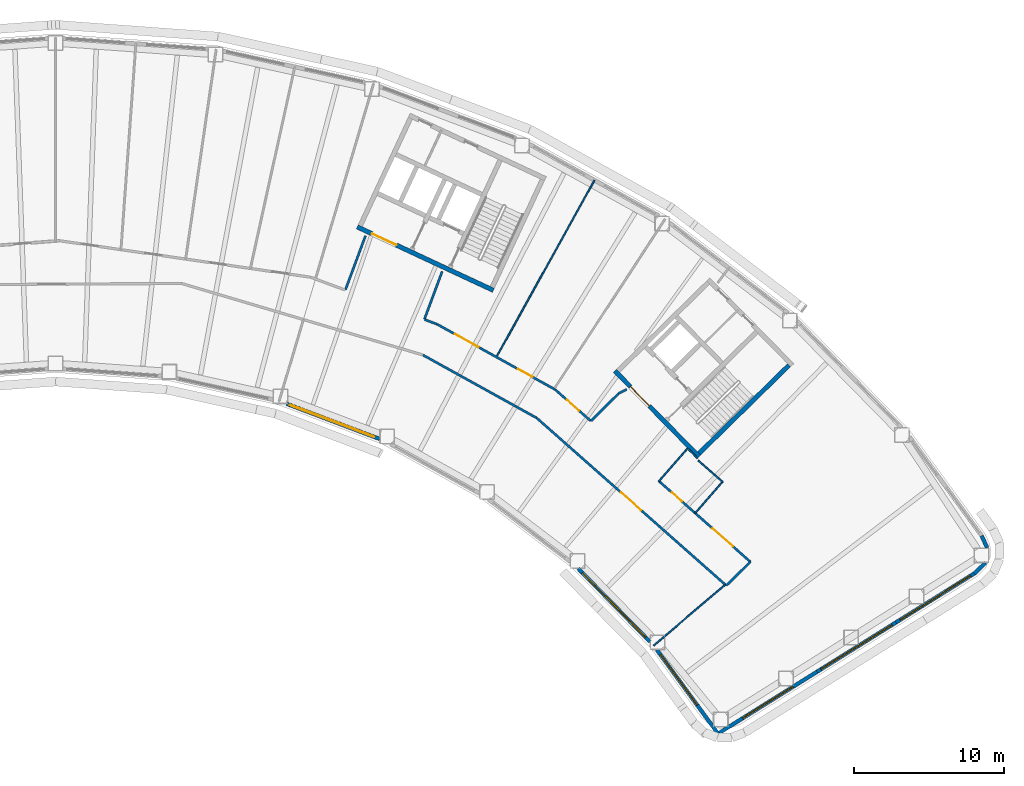
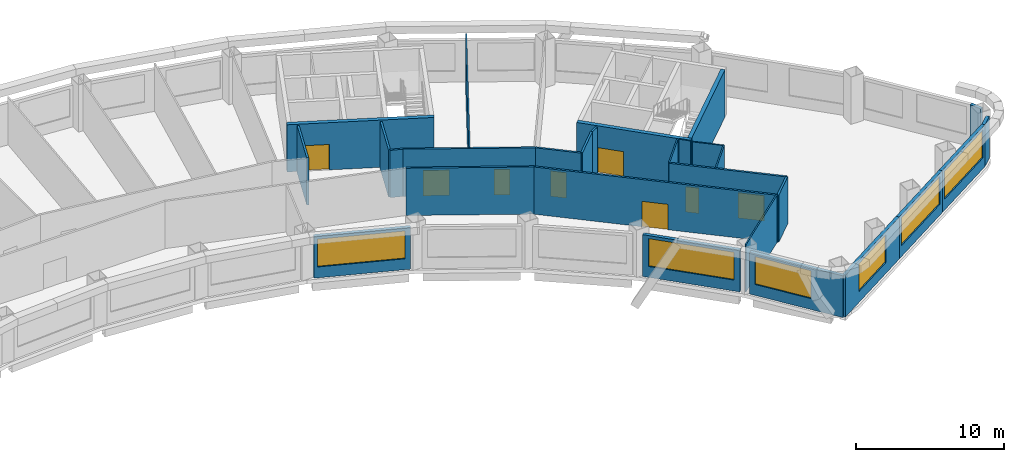
# One storey, part 6 of 11: 28 walls, 8 doors, 6 windows, 14 openings.
"""IFC4 building model written with IfcOpenShell, lengths in metres."""

import ifcopenshell
import ifcopenshell.guid

model = None  # the IFC model being written
_history = None  # IfcOwnerHistory: only IFC2X3 demands one
_inside = {}  # id of a spatial element -> (the spatial element, [elements in it])
_under = {}  # id of a project, library or spatial element -> (it, [spatial elements below it])
_declared = {}  # id of a project -> (the project, [libraries it declares])
_typed = {}  # id of a type object -> (the type object, [elements of that type])
_made_of = {}  # id of a material, layer set ... -> (it, [elements and type objects made of it])


def new_model(schema):
    """Start an empty IFC model of exactly this schema.

    Asked for "IFC4X3", IfcOpenShell would pick the latest addendum, in which some entities
    have other attributes; the version numbers below select the first issue.
    IFC2X3 requires an IfcOwnerHistory on every rooted entity: one is made here for all.
    """
    global model, _history
    if schema == "IFC4X3":
        model = ifcopenshell.file(schema_version=(4, 3, 0, 0))
    else:
        model = ifcopenshell.file(schema=schema)
    _inside.clear()
    _under.clear()
    _declared.clear()
    _typed.clear()
    _made_of.clear()
    _history = None
    if model.schema == "IFC2X3":
        org = make("IfcOrganization", Name="unknown")
        user = make(
            "IfcPersonAndOrganization",
            ThePerson=make("IfcPerson", FamilyName="unknown"),
            TheOrganization=org,
        )
        app = make(
            "IfcApplication",
            ApplicationDeveloper=org,
            Version="unknown",
            ApplicationFullName="unknown",
            ApplicationIdentifier="unknown",
        )
        _history = make(
            "IfcOwnerHistory",
            OwningUser=user,
            OwningApplication=app,
            ChangeAction="ADDED",
            CreationDate=0,
        )
    return model


def make(cls, **values):
    """One entity of the class cls with the attributes given. An attribute that is None is left unset."""
    return model.create_entity(
        cls, **{name: value for name, value in values.items() if value is not None}
    )


def rooted(cls, **values):
    """An entity with a GlobalId (a new one), such as an element, a storey or a relation."""
    return make(cls, GlobalId=ifcopenshell.guid.new(), OwnerHistory=_history, **values)


def si_unit(unit_type, name, prefix=None):
    """IfcSIUnit, for example si_unit("LENGTHUNIT", "METRE", prefix="MILLI")."""
    return make("IfcSIUnit", UnitType=unit_type, Prefix=prefix, Name=name)


def assignment(units):
    """IfcUnitAssignment: the units of a project."""
    return None if units is None else make("IfcUnitAssignment", Units=units)


def point(xyz):
    """IfcCartesianPoint."""
    return None if xyz is None else make("IfcCartesianPoint", Coordinates=xyz)


def direction(xyz):
    """IfcDirection."""
    return None if xyz is None else make("IfcDirection", DirectionRatios=xyz)


def frame(location, z_axis=None, x_axis=None):
    """IfcAxis2Placement3D, a coordinate frame: its origin and axes. An axis left out is left unset."""
    return make(
        "IfcAxis2Placement3D",
        Location=point(location),
        Axis=direction(z_axis),
        RefDirection=direction(x_axis),
    )


def frame_2d(location, x_axis=None):
    """IfcAxis2Placement2D, a coordinate frame in the plane: its origin and x axis."""
    return make(
        "IfcAxis2Placement2D", Location=point(location), RefDirection=direction(x_axis)
    )


def origin():
    """The frame at (0, 0, 0) with its axes left unset."""
    return frame((0.0, 0.0, 0.0))


def place(relative_to, where):
    """IfcLocalPlacement: puts the frame where relative to a parent placement (None: the world)."""
    return make(
        "IfcLocalPlacement", PlacementRelTo=relative_to, RelativePlacement=where
    )


def context(
    kind, dimensions, precision=None, world=None, true_north=None, identifier=None
):
    """IfcGeometricRepresentationContext, for example the 3D "Model" context."""
    return make(
        "IfcGeometricRepresentationContext",
        ContextIdentifier=identifier,
        ContextType=kind,
        CoordinateSpaceDimension=dimensions,
        Precision=precision,
        WorldCoordinateSystem=world,
        TrueNorth=true_north,
    )


def subcontext(parent, identifier, kind, view, scale=None):
    """IfcGeometricRepresentationSubContext, for example "Body" below "Model"."""
    return make(
        "IfcGeometricRepresentationSubContext",
        ContextIdentifier=identifier,
        ContextType=kind,
        ParentContext=parent,
        TargetScale=scale,
        TargetView=view,
    )


def project(units=None, contexts=None):
    """IfcProject with its units and contexts."""
    return rooted(
        "IfcProject",
        Name="project",
        RepresentationContexts=contexts,
        UnitsInContext=assignment(units),
    )


def spatial(cls, under=None, at=None, **own):
    """A site, building, storey or space (cls), placed at a placement, below another one or the project."""
    s = rooted(cls, ObjectPlacement=at, **own)
    if under is not None:
        _under.setdefault(under.id(), (under, []))[1].append(s)
    return s


def profile(cls, at=None, kind="AREA", **sizes):
    """A parametric profile (cls). Its sizes go by their IFC names, for example OverallWidth=200.0."""
    return make(cls, ProfileType=kind, Position=at, **sizes)


def rectangle(**sizes):
    """IfcRectangleProfileDef."""
    return profile("IfcRectangleProfileDef", **sizes)


def extrude(swept, where, along, depth):
    """IfcExtrudedAreaSolid: the profile swept, set in the frame where, extruded along a direction by depth."""
    return make(
        "IfcExtrudedAreaSolid",
        SweptArea=swept,
        Position=where,
        ExtrudedDirection=direction(along),
        Depth=depth,
    )


def shape(context_of_items, identifier, shape_type, items):
    """IfcShapeRepresentation: the items that make up one representation, for example the "Body"."""
    return make(
        "IfcShapeRepresentation",
        ContextOfItems=context_of_items,
        RepresentationIdentifier=identifier,
        RepresentationType=shape_type,
        Items=items,
    )


def material(Name=None, Category=None):
    """IfcMaterial."""
    return make("IfcMaterial", Name=Name, Category=Category)


def layer(
    of_material, thickness, ventilated=None, Name=None, Category=None, Priority=None
):
    """IfcMaterialLayer: one layer of a wall or slab, of a material (None: an air gap)."""
    return make(
        "IfcMaterialLayer",
        Material=of_material,
        LayerThickness=thickness,
        IsVentilated=ventilated,
        Name=Name,
        Category=Category,
        Priority=Priority,
    )


def layer_set(layers, Name=None):
    """IfcMaterialLayerSet."""
    return make("IfcMaterialLayerSet", MaterialLayers=layers, LayerSetName=Name)


def made_of(thing, what):
    """Note that an element or type object is made of a material, layer set ...; save() writes the relation."""
    if what is not None:
        _made_of.setdefault(what.id(), (what, []))[1].append(thing)
    return thing


def type_object(cls, material=None, **own):
    """A type object (cls), such as IfcWallType, which elements share."""
    return made_of(rooted(cls, **own), material)


def element(
    cls,
    number,
    at=None,
    inside=None,
    cuts=None,
    type_object=None,
    material=None,
    context=None,
    identifier="Body",
    shape_type=None,
    held_by="IfcProductDefinitionShape",
    body=None,
    shapes=None,
    **own,
):
    """One element of the class cls, such as IfcWall. Its Tag is "e" and its number.

    at: its placement. inside: the storey or other place that contains it. cuts: it is an
    opening in that element (IfcRelVoidsElement). A single representation is given by context,
    identifier, shape_type and body (its items); several are given by shapes. held_by: the class
    of the entity that holds the representations. save() writes the other relations.
    """
    e = rooted(cls, Tag="e%d" % number, ObjectPlacement=at, **own)
    if body is not None:
        shapes = [shape(context, identifier, shape_type, body)]
    if shapes is not None:
        e.Representation = make(held_by, Representations=shapes)
    if inside is not None:
        _inside.setdefault(inside.id(), (inside, []))[1].append(e)
    if cuts is not None:
        rooted(
            "IfcRelVoidsElement", RelatingBuildingElement=cuts, RelatedOpeningElement=e
        )
    if type_object is not None:
        _typed.setdefault(type_object.id(), (type_object, []))[1].append(e)
    return made_of(e, material)


def fill(opening, filler):
    """IfcRelFillsElement: the door or window that sits in an opening."""
    return rooted(
        "IfcRelFillsElement",
        RelatingOpeningElement=opening,
        RelatedBuildingElement=filler,
    )


def aggregate(whole, parts):
    """IfcRelAggregates: a whole, such as a stair, and the parts it consists of."""
    return rooted("IfcRelAggregates", RelatingObject=whole, RelatedObjects=parts)


def save(model, path):
    """Write the relations noted so far, then the file.

    IfcRelAggregates (storeys below a building ...), IfcRelContainedInSpatialStructure (elements
    in a storey), IfcRelDefinesByType, IfcRelAssociatesMaterial and IfcRelDeclares: one each for
    every whole, place, type object, material and project.
    """
    for whole, parts in _under.values():
        aggregate(whole, parts)
    for where, things in _inside.values():
        rooted(
            "IfcRelContainedInSpatialStructure",
            RelatedElements=things,
            RelatingStructure=where,
        )
    for kind, things in _typed.values():
        rooted("IfcRelDefinesByType", RelatedObjects=things, RelatingType=kind)
    for what, things in _made_of.values():
        rooted("IfcRelAssociatesMaterial", RelatedObjects=things, RelatingMaterial=what)
    for by, libraries in _declared.values():
        rooted("IfcRelDeclares", RelatingContext=by, RelatedDefinitions=libraries)
    model.write(path)


model = new_model("IFC4")

# Units and contexts
model_context = context("Model", 3, precision=1e-05, world=origin(), true_north=direction((0.0, 1.0)))
body_context = subcontext(model_context, "Body", "Model", "MODEL_VIEW")
ifc_project = project(units=[si_unit("LENGTHUNIT", "METRE"), si_unit("AREAUNIT", "SQUARE_METRE"), si_unit("VOLUMEUNIT", "CUBIC_METRE"), si_unit("PLANEANGLEUNIT", "RADIAN"), si_unit("MASSUNIT", "GRAM", prefix="KILO")], contexts=[model_context])

# Site, building, storey
site_placement = place(None, origin())
site = spatial("IfcSite", under=ifc_project, at=site_placement, CompositionType="ELEMENT")
building_placement = place(site_placement, origin())
building = spatial("IfcBuilding", under=site, at=building_placement, Name="Tuul Gate Civic Tower", CompositionType="ELEMENT")
storey_placement = place(building_placement, frame((0.0, 0.0, 142.39990234375)))
storey = spatial("IfcBuildingStorey", under=building, at=storey_placement, Name="Level 32", CompositionType="ELEMENT", Elevation=142.39990234375)

# Wall, opening, door
ifc_material_1 = material(Name="Concrete C50/60", Category="concrete")
ifc_layer_1 = layer(ifc_material_1, 0.300048828125)
ifc_layer_set_1 = layer_set([ifc_layer_1], Name="Concrete C50/60")
wall_type_1 = type_object("IfcWallType", Name="Core wall C50/60", PredefinedType="SHEAR", material=ifc_layer_set_1)
wall_1_placement = place(storey_placement, frame((48.22509765625, -18.327880859375, 0.0), z_axis=(0.0, 0.0, 1.0), x_axis=(-0.700021979774, 0.714121297703, 0.0)))
wall_1 = element("IfcWall", 1, at=wall_1_placement, inside=storey, type_object=wall_type_1, Name="Core wall", PredefinedType="SHEAR", context=body_context, shape_type="SweptSolid", body=[
    extrude(rectangle(XDim=8.0, YDim=0.300048828125, at=frame_2d((4.0, 0.0))), origin(), (0.0, 0.0, 1.0), 3.900146484375),
])
opening_1_placement = place(wall_1_placement, frame((4.72509765625, 0.0, 0.0)))
opening_1 = element("IfcOpeningElement", 2, at=opening_1_placement, cuts=wall_1, Name="Opening LB-E1-LOBBY-1", PredefinedType="OPENING", context=body_context, shape_type="SweptSolid", body=[
    extrude(rectangle(XDim=1.800048828125, YDim=2.10009765625, at=frame_2d((0.89990234375, 1.050048828125))), frame((0.0, 0.16015625, 0.0), z_axis=(0.0, -1.0, 0.0), x_axis=(1.0, 0.0, 0.0)), (0.0, 0.0, 1.0), 0.320068359375),
])
ifc_material_2 = material(Name="Steel", Category="steel")
door_type_1 = type_object("IfcDoorType", Name="Lobby door", OperationType="DOUBLE_DOOR_SINGLE_SWING", PredefinedType="DOOR", material=ifc_material_2)
door_1_placement = place(opening_1_placement, frame((1.800048828125, 0.0, 0.0), z_axis=(0.0, 0.0, 1.0), x_axis=(-1.0, 0.0, 0.0)))
door_1 = element("IfcDoor", 3, at=door_1_placement, inside=storey, type_object=door_type_1, Name="Lobby door E1-LOBBY", OperationType="DOUBLE_DOOR_SINGLE_SWING", OverallHeight=2.10009765625, OverallWidth=1.800048828125, PredefinedType="DOOR", context=body_context, shape_type="SweptSolid", body=[
    extrude(rectangle(XDim=1.800048828125, YDim=2.10009765625, at=frame_2d((0.900146484375, 1.050048828125))), frame((0.0, 0.02490234375, 0.0), z_axis=(0.0, -1.0, 0.0), x_axis=(1.0, 0.0, 0.0)), (0.0, 0.0, 1.0), 0.050048828125),
])
fill(opening_1, door_1)

# Wall
wall_2_placement = place(storey_placement, frame((48.227294921875, -18.115966796875, 0.0), z_axis=(0.0, 0.0, 1.0), x_axis=(0.714105315431, 0.700038283577, 0.0)))
element("IfcWall", 4, at=wall_2_placement, inside=storey, type_object=wall_type_1, Name="Core wall", PredefinedType="SHEAR", context=body_context, shape_type="SweptSolid", body=[
    extrude(rectangle(XDim=8.400146484375, YDim=0.300048828125, at=frame_2d((4.2001953125, 0.0))), origin(), (0.0, 0.0, 1.0), 3.900146484375),
])

# Wall, opening, door
wall_3_placement = place(storey_placement, frame((34.5283203125, -7.25, 0.0), z_axis=(0.0, 0.0, 1.0), x_axis=(-0.906310338845, 0.422612789327, 0.0)))
wall_3 = element("IfcWall", 5, at=wall_3_placement, inside=storey, type_object=wall_type_1, Name="Core wall", PredefinedType="SHEAR", context=body_context, shape_type="SweptSolid", body=[
    extrude(rectangle(XDim=9.999755859375, YDim=0.300048828125, at=frame_2d((5.0, 0.0))), origin(), (0.0, 0.0, 1.0), 3.900146484375),
])
opening_2_placement = place(wall_3_placement, frame((7.125, 0.0, 0.0)))
opening_2 = element("IfcOpeningElement", 6, at=opening_2_placement, cuts=wall_3, Name="Opening LB-E3-LOBBY-1", PredefinedType="OPENING", context=body_context, shape_type="SweptSolid", body=[
    extrude(rectangle(XDim=1.800048828125, YDim=2.10009765625, at=frame_2d((0.89990234375, 1.050048828125))), frame((0.0, 0.16015625, 0.0), z_axis=(0.0, -1.0, 0.0), x_axis=(1.0, 0.0, 0.0)), (0.0, 0.0, 1.0), 0.320068359375),
])
door_2_placement = place(opening_2_placement, frame((1.800048828125, 0.0, 0.0), z_axis=(0.0, 0.0, 1.0), x_axis=(-1.0, 0.0, 0.0)))
door_2 = element("IfcDoor", 7, at=door_2_placement, inside=storey, type_object=door_type_1, Name="Lobby door E3-LOBBY", OperationType="DOUBLE_DOOR_SINGLE_SWING", OverallHeight=2.10009765625, OverallWidth=1.800048828125, PredefinedType="DOOR", context=body_context, shape_type="SweptSolid", body=[
    extrude(rectangle(XDim=1.800048828125, YDim=2.10009765625, at=frame_2d((0.900146484375, 1.050048828125))), frame((0.0, 0.02490234375, 0.0), z_axis=(0.0, -1.0, 0.0), x_axis=(1.0, 0.0, 0.0)), (0.0, 0.0, 1.0), 0.050048828125),
])
fill(opening_2, door_2)

ifc_material_3 = material(Name="Gypsum board partition")
ifc_layer_2 = layer(ifc_material_3, 0.14990234375)
ifc_layer_set_2 = layer_set([ifc_layer_2], Name="Gypsum board partition")
wall_type_2 = type_object("IfcWallType", Name="Corridor wall P150", PredefinedType="PARTITIONING", material=ifc_layer_set_2)
wall_4_placement = place(storey_placement, frame((37.420166015625, -15.75341796875, 0.0), z_axis=(0.0, 0.0, 1.0), x_axis=(0.749288791538, -0.662243389454, 0.0)))
wall_4 = element("IfcWall", 8, at=wall_4_placement, inside=storey, type_object=wall_type_2, Name="p005", PredefinedType="PARTITIONING", context=body_context, shape_type="SweptSolid", body=[
    extrude(rectangle(XDim=16.850830078125, YDim=0.14990234375, at=frame_2d((8.42529296875, 0.0))), origin(), (0.0, 0.0, 1.0), 3.900146484375),
])
opening_3_placement = place(wall_4_placement, frame((7.482421875, 0.0, 0.0)))
opening_3 = element("IfcOpeningElement", 9, at=opening_3_placement, cuts=wall_4, Name="Opening K-D18", PredefinedType="OPENING", context=body_context, shape_type="SweptSolid", body=[
    extrude(rectangle(XDim=1.800048828125, YDim=2.10009765625, at=frame_2d((0.89990234375, 1.050048828125))), frame((0.0, 0.0849609375, 0.0), z_axis=(0.0, -1.0, 0.0), x_axis=(1.0, 0.0, 0.0)), (0.0, 0.0, 1.0), 0.169921875),
])
ifc_material_4 = material(Name="Timber door leaf, double", Category="wood")
door_type_2 = type_object("IfcDoorType", Name="Door D18", OperationType="DOUBLE_DOOR_SINGLE_SWING", PredefinedType="DOOR", material=ifc_material_4)
door_3_placement = place(opening_3_placement, frame((1.800048828125, 0.0, 0.0), z_axis=(0.0, 0.0, 1.0), x_axis=(-1.0, 0.0, 0.0)))
door_3 = element("IfcDoor", 10, at=door_3_placement, inside=storey, type_object=door_type_2, Name="Door K-D18", OperationType="DOUBLE_DOOR_SINGLE_SWING", OverallHeight=2.10009765625, OverallWidth=1.800048828125, PredefinedType="DOOR", context=body_context, shape_type="SweptSolid", body=[
    extrude(rectangle(XDim=1.800048828125, YDim=2.10009765625, at=frame_2d((0.900146484375, 1.050048828125))), frame((0.0, 0.02490234375, 0.0), z_axis=(0.0, -1.0, 0.0), x_axis=(1.0, 0.0, 0.0)), (0.0, 0.0, 1.0), 0.050048828125),
])
fill(opening_3, door_3)

# Wall
wall_5_placement = place(storey_placement, frame((50.04638671875, -26.912841796875, 0.0), z_axis=(0.0, 0.0, 1.0), x_axis=(0.711649081693, 0.702535112664, 0.0)))
element("IfcWall", 11, at=wall_5_placement, inside=storey, type_object=wall_type_2, Name="p006", PredefinedType="PARTITIONING", context=body_context, shape_type="SweptSolid", body=[
    extrude(rectangle(XDim=2.250244140625, YDim=0.14990234375, at=frame_2d((1.125, 0.0))), origin(), (0.0, 0.0, 1.0), 3.900146484375),
])

# Wall, opening, door
wall_6_placement = place(storey_placement, frame((38.6513671875, -13.862548828125, 0.0), z_axis=(0.0, 0.0, 1.0), x_axis=(0.749742885819, -0.661729253671, 0.0)))
wall_6 = element("IfcWall", 12, at=wall_6_placement, inside=storey, type_object=wall_type_2, Name="p007", PredefinedType="PARTITIONING", context=body_context, shape_type="SweptSolid", body=[
    extrude(rectangle(XDim=3.151123046875, YDim=0.14990234375, at=frame_2d((1.57568359375, 0.0))), origin(), (0.0, 0.0, 1.0), 3.900146484375),
])
opening_4_placement = place(wall_6_placement, frame((1.025634765625, 0.0, 0.0)))
opening_4 = element("IfcOpeningElement", 13, at=opening_4_placement, cuts=wall_6, Name="Opening K-D03", PredefinedType="OPENING", context=body_context, shape_type="SweptSolid", body=[
    extrude(rectangle(XDim=1.10009765625, YDim=2.10009765625, at=frame_2d((0.550048828125, 1.050048828125))), frame((0.0, 0.0849609375, 0.0), z_axis=(0.0, -1.0, 0.0), x_axis=(1.0, 0.0, 0.0)), (0.0, 0.0, 1.0), 0.169921875),
])
ifc_material_5 = material(Name="Timber door leaf", Category="wood")
door_type_3 = type_object("IfcDoorType", Name="Door D11", OperationType="NOTDEFINED", PredefinedType="DOOR", material=ifc_material_5)
door_4_placement = place(opening_4_placement, origin())
door_4 = element("IfcDoor", 14, at=door_4_placement, inside=storey, type_object=door_type_3, Name="Door K-D03", OperationType="SINGLE_SWING_RIGHT", OverallHeight=2.10009765625, OverallWidth=1.10009765625, PredefinedType="DOOR", context=body_context, shape_type="SweptSolid", body=[
    extrude(rectangle(XDim=1.10009765625, YDim=2.10009765625, at=frame_2d((0.550048828125, 1.050048828125))), frame((0.0, 0.02490234375, 0.0), z_axis=(0.0, -1.0, 0.0), x_axis=(1.0, 0.0, 0.0)), (0.0, 0.0, 1.0), 0.050048828125),
])
fill(opening_4, door_4)

# Wall, openings, doors
wall_7_placement = place(storey_placement, frame((45.552490234375, -19.952880859375, 0.0), z_axis=(0.0, 0.0, 1.0), x_axis=(0.749775626485, -0.661692156466, 0.0)))
wall_7 = element("IfcWall", 15, at=wall_7_placement, inside=storey, type_object=wall_type_2, Name="p008", PredefinedType="PARTITIONING", context=body_context, shape_type="SweptSolid", body=[
    extrude(rectangle(XDim=8.12939453125, YDim=0.14990234375, at=frame_2d((4.064697265625, 0.0))), origin(), (0.0, 0.0, 1.0), 3.900146484375),
])
opening_5_placement = place(wall_7_placement, frame((4.775146484375, 0.0, 0.0)))
opening_5 = element("IfcOpeningElement", 16, at=opening_5_placement, cuts=wall_7, Name="Opening K-D01", PredefinedType="OPENING", context=body_context, shape_type="SweptSolid", body=[
    extrude(rectangle(XDim=1.800048828125, YDim=2.10009765625, at=frame_2d((0.89990234375, 1.050048828125))), frame((0.0, 0.0849609375, 0.0), z_axis=(0.0, -1.0, 0.0), x_axis=(1.0, 0.0, 0.0)), (0.0, 0.0, 1.0), 0.169921875),
])
opening_6_placement = place(wall_7_placement, frame((1.159912109375, 0.0, 0.0)))
opening_6 = element("IfcOpeningElement", 17, at=opening_6_placement, cuts=wall_7, Name="Opening K-D02", PredefinedType="OPENING", context=body_context, shape_type="SweptSolid", body=[
    extrude(rectangle(XDim=0.89990234375, YDim=2.10009765625, at=frame_2d((0.449951171875, 1.050048828125))), frame((0.0, 0.0849609375, 0.0), z_axis=(0.0, -1.0, 0.0), x_axis=(1.0, 0.0, 0.0)), (0.0, 0.0, 1.0), 0.169921875),
])
ifc_material_6 = material(Name="Timber door leaf", Category="wood")
door_type_4 = type_object("IfcDoorType", Name="Door D09", OperationType="NOTDEFINED", PredefinedType="DOOR", material=ifc_material_6)
door_5_placement = place(opening_6_placement, origin())
door_5 = element("IfcDoor", 18, at=door_5_placement, inside=storey, type_object=door_type_4, Name="Door K-D02", OperationType="SINGLE_SWING_RIGHT", OverallHeight=2.10009765625, OverallWidth=0.89990234375, PredefinedType="DOOR", context=body_context, shape_type="SweptSolid", body=[
    extrude(rectangle(XDim=0.89990234375, YDim=2.10009765625, at=frame_2d((0.449951171875, 1.050048828125))), frame((0.0, 0.02490234375, 0.0), z_axis=(0.0, -1.0, 0.0), x_axis=(1.0, 0.0, 0.0)), (0.0, 0.0, 1.0), 0.050048828125),
])
fill(opening_6, door_5)
door_6_placement = place(opening_5_placement, origin())
door_6 = element("IfcDoor", 19, at=door_6_placement, inside=storey, type_object=door_type_2, Name="Door K-D01", OperationType="DOUBLE_DOOR_SINGLE_SWING", OverallHeight=2.10009765625, OverallWidth=1.800048828125, PredefinedType="DOOR", context=body_context, shape_type="SweptSolid", body=[
    extrude(rectangle(XDim=1.800048828125, YDim=2.10009765625, at=frame_2d((0.89990234375, 1.050048828125))), frame((0.0, 0.02490234375, 0.0), z_axis=(0.0, -1.0, 0.0), x_axis=(1.0, 0.0, 0.0)), (0.0, 0.0, 1.0), 0.050048828125),
])
fill(opening_5, door_6)

# Walls
wall_8_placement = place(storey_placement, frame((42.864990234375, -14.128662109375, 0.0), z_axis=(0.0, 0.0, 1.0), x_axis=(0.885582117256, 0.46448284532, 0.0)))
element("IfcWall", 20, at=wall_8_placement, inside=storey, type_object=wall_type_2, Name="p010", PredefinedType="PARTITIONING", context=body_context, shape_type="SweptSolid", body=[
    extrude(rectangle(XDim=0.61328125, YDim=0.14990234375, at=frame_2d((0.306640625, 0.0))), origin(), (0.0, 0.0, 1.0), 3.900146484375),
])
wall_9_placement = place(storey_placement, frame((41.042724609375, -15.94677734375, 0.0), z_axis=(0.0, 0.0, 1.0), x_axis=(0.707865682362, 0.706347064647, 0.0)))
element("IfcWall", 21, at=wall_9_placement, inside=storey, type_object=wall_type_2, Name="p011", PredefinedType="PARTITIONING", context=body_context, shape_type="SweptSolid", body=[
    extrude(rectangle(XDim=2.572265625, YDim=0.14990234375, at=frame_2d((1.2861328125, 0.0))), origin(), (0.0, 0.0, 1.0), 3.900146484375),
])

# Wall, openings, doors
wall_10_placement = place(storey_placement, frame((30.78173828125, -9.50732421875, 0.0), z_axis=(0.0, 0.0, 1.0), x_axis=(0.874961607648, -0.484192301821, 0.0)))
wall_10 = element("IfcWall", 22, at=wall_10_placement, inside=storey, type_object=wall_type_2, Name="p012", PredefinedType="PARTITIONING", context=body_context, shape_type="SweptSolid", body=[
    extrude(rectangle(XDim=8.9921875, YDim=0.14990234375, at=frame_2d((4.49609375, 0.0))), origin(), (0.0, 0.0, 1.0), 3.900146484375),
])
opening_7_placement = place(wall_10_placement, frame((6.163330078125, 0.0, 0.0)))
opening_7 = element("IfcOpeningElement", 23, at=opening_7_placement, cuts=wall_10, Name="Opening K-D04", PredefinedType="OPENING", context=body_context, shape_type="SweptSolid", body=[
    extrude(rectangle(XDim=1.10009765625, YDim=2.10009765625, at=frame_2d((0.550048828125, 1.050048828125))), frame((0.0, 0.0849609375, 0.0), z_axis=(0.0, -1.0, 0.0), x_axis=(1.0, 0.0, 0.0)), (0.0, 0.0, 1.0), 0.169921875),
])
opening_8_placement = place(wall_10_placement, frame((1.35986328125, 0.0, 0.0)))
opening_8 = element("IfcOpeningElement", 24, at=opening_8_placement, cuts=wall_10, Name="Opening K-D05", PredefinedType="OPENING", context=body_context, shape_type="SweptSolid", body=[
    extrude(rectangle(XDim=1.800048828125, YDim=2.10009765625, at=frame_2d((0.89990234375, 1.050048828125))), frame((0.0, 0.0849609375, 0.0), z_axis=(0.0, -1.0, 0.0), x_axis=(1.0, 0.0, 0.0)), (0.0, 0.0, 1.0), 0.169921875),
])
door_7_placement = place(opening_7_placement, origin())
door_7 = element("IfcDoor", 25, at=door_7_placement, inside=storey, type_object=door_type_3, Name="Door K-D04", OperationType="SINGLE_SWING_RIGHT", OverallHeight=2.10009765625, OverallWidth=1.10009765625, PredefinedType="DOOR", context=body_context, shape_type="SweptSolid", body=[
    extrude(rectangle(XDim=1.10009765625, YDim=2.10009765625, at=frame_2d((0.550048828125, 1.050048828125))), frame((0.0, 0.02490234375, 0.0), z_axis=(0.0, -1.0, 0.0), x_axis=(1.0, 0.0, 0.0)), (0.0, 0.0, 1.0), 0.050048828125),
])
fill(opening_7, door_7)
door_8_placement = place(opening_8_placement, origin())
door_8 = element("IfcDoor", 26, at=door_8_placement, inside=storey, type_object=door_type_2, Name="Door K-D05", OperationType="DOUBLE_DOOR_SINGLE_SWING", OverallHeight=2.10009765625, OverallWidth=1.800048828125, PredefinedType="DOOR", context=body_context, shape_type="SweptSolid", body=[
    extrude(rectangle(XDim=1.800048828125, YDim=2.10009765625, at=frame_2d((0.89990234375, 1.050048828125))), frame((0.0, 0.02490234375, 0.0), z_axis=(0.0, -1.0, 0.0), x_axis=(1.0, 0.0, 0.0)), (0.0, 0.0, 1.0), 0.050048828125),
])
fill(opening_8, door_8)

# Walls
wall_11_placement = place(storey_placement, frame((29.953125, -9.19921875, 0.0), z_axis=(0.0, 0.0, 1.0), x_axis=(0.937314316494, -0.348485110293, 0.0)))
element("IfcWall", 27, at=wall_11_placement, inside=storey, type_object=wall_type_2, Name="p017", PredefinedType="PARTITIONING", context=body_context, shape_type="SweptSolid", body=[
    extrude(rectangle(XDim=0.8828125, YDim=0.14990234375, at=frame_2d((0.44140625, 0.0))), origin(), (0.0, 0.0, 1.0), 3.900146484375),
])
wall_12_placement = place(storey_placement, frame((29.94091796875, -9.172607421875, 0.0), z_axis=(0.0, 0.0, 1.0), x_axis=(0.348376318693, 0.937354757055, 0.0)))
element("IfcWall", 28, at=wall_12_placement, inside=storey, type_object=wall_type_2, Name="p018", PredefinedType="PARTITIONING", context=body_context, shape_type="SweptSolid", body=[
    extrude(rectangle(XDim=3.39111328125, YDim=0.14990234375, at=frame_2d((1.695556640625, 0.0))), origin(), (0.0, 0.0, 1.0), 3.900146484375),
])
wall_13_placement = place(storey_placement, frame((24.678466796875, -7.216796875, 0.0), z_axis=(0.0, 0.0, 1.0), x_axis=(0.348379481911, 0.937353581411, 0.0)))
element("IfcWall", 29, at=wall_13_placement, inside=storey, type_object=wall_type_2, Name="p019", PredefinedType="PARTITIONING", context=body_context, shape_type="SweptSolid", body=[
    extrude(rectangle(XDim=3.84375, YDim=0.14990234375, at=frame_2d((1.921875, 0.0))), origin(), (0.0, 0.0, 1.0), 3.900146484375),
])
wall_14_placement = place(storey_placement, frame((29.839111328125, -11.5576171875, 0.0), z_axis=(0.0, 0.0, 1.0), x_axis=(0.874934991468, -0.484240395574, 0.0)))
element("IfcWall", 30, at=wall_14_placement, inside=storey, type_object=wall_type_2, Name="p049", PredefinedType="PARTITIONING", context=body_context, shape_type="SweptSolid", body=[
    extrude(rectangle(XDim=8.664794921875, YDim=0.14990234375, at=frame_2d((4.33251953125, 0.0))), origin(), (0.0, 0.0, 1.0), 3.900146484375),
])
ifc_material_7 = material(Name="Precast concrete C40/50", Category="concrete")
ifc_layer_3 = layer(ifc_material_7, 0.25)
ifc_layer_set_3 = layer_set([ifc_layer_3], Name="Precast concrete C40/50")
wall_type_3 = type_object("IfcWallType", Name="External wall", PredefinedType="STANDARD", material=ifc_layer_set_3)
wall_15_placement = place(storey_placement, frame((66.564453125, -26.109619140625, 0.0), z_axis=(0.0, 0.0, 1.0), x_axis=(0.722224898846, 0.691658293875, 0.0)))
element("IfcWall", 31, at=wall_15_placement, inside=storey, type_object=wall_type_3, Name="External wall", PredefinedType="STANDARD", context=body_context, shape_type="SweptSolid", body=[
    extrude(rectangle(XDim=1.0302734375, YDim=0.25, at=frame_2d((0.51513671875, 0.0))), origin(), (0.0, 0.0, 1.0), 3.4501953125),
])
wall_16_placement = place(storey_placement, frame((67.416015625, -24.39697265625, 0.0), z_axis=(0.0, 0.0, 1.0), x_axis=(-0.41355333093, 0.9104798968, 0.0)))
element("IfcWall", 32, at=wall_16_placement, inside=storey, type_object=wall_type_3, Name="External wall", PredefinedType="STANDARD", context=body_context, shape_type="SweptSolid", body=[
    extrude(rectangle(XDim=0.88427734375, YDim=0.25, at=frame_2d((0.442138671875, 0.0))), origin(), (0.0, 0.0, 1.0), 3.4501953125),
])

# Wall, opening, window
wall_17_placement = place(storey_placement, frame((20.76416015625, -14.806884765625, 0.0), z_axis=(0.0, 0.0, 1.0), x_axis=(0.935359421998, -0.353698673562, 0.0)))
wall_17 = element("IfcWall", 33, at=wall_17_placement, inside=storey, type_object=wall_type_3, Name="External wall", PredefinedType="STANDARD", context=body_context, shape_type="SweptSolid", body=[
    extrude(rectangle(XDim=6.625, YDim=0.25, at=frame_2d((3.3125, 0.0))), origin(), (0.0, 0.0, 1.0), 3.4501953125),
])
opening_9_placement = place(wall_17_placement, frame((0.240478515625, 0.0, 0.89990234375)))
opening_9 = element("IfcOpeningElement", 34, at=opening_9_placement, cuts=wall_17, Name="Opening W26", PredefinedType="OPENING", context=body_context, shape_type="SweptSolid", body=[
    extrude(rectangle(XDim=6.0, YDim=2.300048828125, at=frame_2d((3.0, 1.14990234375))), frame((0.0, 0.135009765625, 0.0), z_axis=(0.0, -1.0, 0.0), x_axis=(1.0, 0.0, 0.0)), (0.0, 0.0, 1.0), 0.27001953125),
])
ifc_material_8 = material(Name="Glass", Category="glass")
window_type_1 = type_object("IfcWindowType", Name="Window W26 6000 x 2300", PartitioningType="SINGLE_PANEL", PredefinedType="WINDOW", material=ifc_material_8)
window_1_placement = place(opening_9_placement, origin())
window_1 = element("IfcWindow", 35, at=window_1_placement, inside=storey, type_object=window_type_1, Name="Window", OverallHeight=2.300048828125, OverallWidth=6.0, PartitioningType="SINGLE_PANEL", PredefinedType="WINDOW", context=body_context, shape_type="SweptSolid", body=[
    extrude(rectangle(XDim=6.0, YDim=2.300048828125, at=frame_2d((3.0, 1.14990234375))), frame((0.0, 0.030029296875, 0.0), z_axis=(0.0, -1.0, 0.0), x_axis=(1.0, 0.0, 0.0)), (0.0, 0.0, 1.0), 0.06005859375),
])
fill(opening_9, window_1)

wall_18_placement = place(storey_placement, frame((40.1748046875, -25.77099609375, 0.0), z_axis=(0.0, 0.0, 1.0), x_axis=(0.700046388208, -0.714097370361, 0.0)))
wall_18 = element("IfcWall", 36, at=wall_18_placement, inside=storey, type_object=wall_type_3, Name="External wall", PredefinedType="STANDARD", context=body_context, shape_type="SweptSolid", body=[
    extrude(rectangle(XDim=6.82861328125, YDim=0.25, at=frame_2d((3.414306640625, 0.0))), origin(), (0.0, 0.0, 1.0), 3.4501953125),
])
opening_10_placement = place(wall_18_placement, frame((0.41552734375, 0.0, 0.89990234375)))
opening_10 = element("IfcOpeningElement", 37, at=opening_10_placement, cuts=wall_18, Name="Opening W26", PredefinedType="OPENING", context=body_context, shape_type="SweptSolid", body=[
    extrude(rectangle(XDim=6.0, YDim=2.300048828125, at=frame_2d((3.0, 1.14990234375))), frame((0.0, 0.135009765625, 0.0), z_axis=(0.0, -1.0, 0.0), x_axis=(1.0, 0.0, 0.0)), (0.0, 0.0, 1.0), 0.27001953125),
])
window_2_placement = place(opening_10_placement, origin())
window_2 = element("IfcWindow", 38, at=window_2_placement, inside=storey, type_object=window_type_1, Name="Window", OverallHeight=2.300048828125, OverallWidth=6.0, PartitioningType="SINGLE_PANEL", PredefinedType="WINDOW", context=body_context, shape_type="SweptSolid", body=[
    extrude(rectangle(XDim=6.0, YDim=2.300048828125, at=frame_2d((3.0, 1.14990234375))), frame((0.0, 0.030029296875, 0.0), z_axis=(0.0, -1.0, 0.0), x_axis=(1.0, 0.0, 0.0)), (0.0, 0.0, 1.0), 0.06005859375),
])
fill(opening_10, window_2)

wall_19_placement = place(storey_placement, frame((45.417724609375, -31.193115234375, 0.0), z_axis=(0.0, 0.0, 1.0), x_axis=(0.589725122594, -0.807604036507, 0.0)))
wall_19 = element("IfcWall", 39, at=wall_19_placement, inside=storey, type_object=wall_type_3, Name="External wall", PredefinedType="STANDARD", context=body_context, shape_type="SweptSolid", body=[
    extrude(rectangle(XDim=6.910400390625, YDim=0.25, at=frame_2d((3.455078125, 0.0))), origin(), (0.0, 0.0, 1.0), 3.4501953125),
])
opening_11_placement = place(wall_19_placement, frame((0.40380859375, 0.0, 0.89990234375)))
opening_11 = element("IfcOpeningElement", 40, at=opening_11_placement, cuts=wall_19, Name="Opening W25", PredefinedType="OPENING", context=body_context, shape_type="SweptSolid", body=[
    extrude(rectangle(XDim=4.14990234375, YDim=2.300048828125, at=frame_2d((2.074951171875, 1.14990234375))), frame((0.0, 0.135009765625, 0.0), z_axis=(0.0, -1.0, 0.0), x_axis=(1.0, 0.0, 0.0)), (0.0, 0.0, 1.0), 0.27001953125),
])
ifc_material_9 = material(Name="Glass", Category="glass")
window_type_2 = type_object("IfcWindowType", Name="Window W25 4150 x 2300", PartitioningType="SINGLE_PANEL", PredefinedType="WINDOW", material=ifc_material_9)
window_3_placement = place(opening_11_placement, origin())
window_3 = element("IfcWindow", 41, at=window_3_placement, inside=storey, type_object=window_type_2, Name="Window", OverallHeight=2.300048828125, OverallWidth=4.14990234375, PartitioningType="SINGLE_PANEL", PredefinedType="WINDOW", context=body_context, shape_type="SweptSolid", body=[
    extrude(rectangle(XDim=4.14990234375, YDim=2.300048828125, at=frame_2d((2.074951171875, 1.14990234375))), frame((0.0, 0.030029296875, 0.0), z_axis=(0.0, -1.0, 0.0), x_axis=(1.0, 0.0, 0.0)), (0.0, 0.0, 1.0), 0.06005859375),
])
fill(opening_11, window_3)

wall_20_placement = place(storey_placement, frame((49.492919921875, -36.77392578125, 0.0), z_axis=(0.0, 0.0, 1.0), x_axis=(0.848059933221, 0.529900320499, 0.0)))
wall_20 = element("IfcWall", 42, at=wall_20_placement, inside=storey, type_object=wall_type_3, Name="External wall", PredefinedType="STANDARD", context=body_context, shape_type="SweptSolid", body=[
    extrude(rectangle(XDim=7.78857421875, YDim=0.25, at=frame_2d((3.894287109375, 0.0))), origin(), (0.0, 0.0, 1.0), 3.4501953125),
])
opening_12_placement = place(wall_20_placement, frame((1.94189453125, 0.0, 0.89990234375)))
opening_12 = element("IfcOpeningElement", 43, at=opening_12_placement, cuts=wall_20, Name="Opening W113", PredefinedType="OPENING", context=body_context, shape_type="SweptSolid", body=[
    extrude(rectangle(XDim=3.949951171875, YDim=2.300048828125, at=frame_2d((1.97509765625, 1.14990234375))), frame((0.0, 0.135009765625, 0.0), z_axis=(0.0, -1.0, 0.0), x_axis=(1.0, 0.0, 0.0)), (0.0, 0.0, 1.0), 0.27001953125),
])
ifc_material_10 = material(Name="Glass", Category="glass")
window_type_3 = type_object("IfcWindowType", Name="Window W113 3950 x 2300", PartitioningType="SINGLE_PANEL", PredefinedType="WINDOW", material=ifc_material_10)
window_4_placement = place(opening_12_placement, origin())
window_4 = element("IfcWindow", 44, at=window_4_placement, inside=storey, type_object=window_type_3, Name="Window", OverallHeight=2.300048828125, OverallWidth=3.949951171875, PartitioningType="SINGLE_PANEL", PredefinedType="WINDOW", context=body_context, shape_type="SweptSolid", body=[
    extrude(rectangle(XDim=3.949951171875, YDim=2.300048828125, at=frame_2d((1.97509765625, 1.14990234375))), frame((0.0, 0.030029296875, 0.0), z_axis=(0.0, -1.0, 0.0), x_axis=(1.0, 0.0, 0.0)), (0.0, 0.0, 1.0), 0.06005859375),
])
fill(opening_12, window_4)

wall_21_placement = place(storey_placement, frame((56.09814453125, -32.646728515625, 0.0), z_axis=(0.0, 0.0, 1.0), x_axis=(0.848042669488, 0.529927948619, 0.0)))
wall_21 = element("IfcWall", 45, at=wall_21_placement, inside=storey, type_object=wall_type_3, Name="External wall", PredefinedType="STANDARD", context=body_context, shape_type="SweptSolid", body=[
    extrude(rectangle(XDim=6.1826171875, YDim=0.25, at=frame_2d((3.09130859375, 0.0))), origin(), (0.0, 0.0, 1.0), 3.4501953125),
])
opening_13_placement = place(wall_21_placement, frame((0.31640625, 0.0, 0.89990234375)))
opening_13 = element("IfcOpeningElement", 46, at=opening_13_placement, cuts=wall_21, Name="Opening W24", PredefinedType="OPENING", context=body_context, shape_type="SweptSolid", body=[
    extrude(rectangle(XDim=5.550048828125, YDim=2.300048828125, at=frame_2d((2.77490234375, 1.14990234375))), frame((0.0, 0.135009765625, 0.0), z_axis=(0.0, -1.0, 0.0), x_axis=(1.0, 0.0, 0.0)), (0.0, 0.0, 1.0), 0.27001953125),
])
ifc_material_11 = material(Name="Glass", Category="glass")
window_type_4 = type_object("IfcWindowType", Name="Window W24 5550 x 2300", PartitioningType="SINGLE_PANEL", PredefinedType="WINDOW", material=ifc_material_11)
window_5_placement = place(opening_13_placement, origin())
window_5 = element("IfcWindow", 47, at=window_5_placement, inside=storey, type_object=window_type_4, Name="Window", OverallHeight=2.300048828125, OverallWidth=5.550048828125, PartitioningType="SINGLE_PANEL", PredefinedType="WINDOW", context=body_context, shape_type="SweptSolid", body=[
    extrude(rectangle(XDim=5.550048828125, YDim=2.300048828125, at=frame_2d((2.77490234375, 1.14990234375))), frame((0.0, 0.030029296875, 0.0), z_axis=(0.0, -1.0, 0.0), x_axis=(1.0, 0.0, 0.0)), (0.0, 0.0, 1.0), 0.06005859375),
])
fill(opening_13, window_5)

wall_22_placement = place(storey_placement, frame((61.34130859375, -29.370361328125, 0.0), z_axis=(0.0, 0.0, 1.0), x_axis=(0.848053758074, 0.529910203164, 0.0)))
wall_22 = element("IfcWall", 48, at=wall_22_placement, inside=storey, type_object=wall_type_3, Name="External wall", PredefinedType="STANDARD", context=body_context, shape_type="SweptSolid", body=[
    extrude(rectangle(XDim=6.182861328125, YDim=0.25, at=frame_2d((3.09130859375, 0.0))), origin(), (0.0, 0.0, 1.0), 3.4501953125),
])
opening_14_placement = place(wall_22_placement, frame((0.31640625, 0.0, 0.89990234375)))
opening_14 = element("IfcOpeningElement", 49, at=opening_14_placement, cuts=wall_22, Name="Opening W24", PredefinedType="OPENING", context=body_context, shape_type="SweptSolid", body=[
    extrude(rectangle(XDim=5.550048828125, YDim=2.300048828125, at=frame_2d((2.77490234375, 1.14990234375))), frame((0.0, 0.135009765625, 0.0), z_axis=(0.0, -1.0, 0.0), x_axis=(1.0, 0.0, 0.0)), (0.0, 0.0, 1.0), 0.27001953125),
])
window_6_placement = place(opening_14_placement, origin())
window_6 = element("IfcWindow", 50, at=window_6_placement, inside=storey, type_object=window_type_4, Name="Window", OverallHeight=2.300048828125, OverallWidth=5.550048828125, PartitioningType="SINGLE_PANEL", PredefinedType="WINDOW", context=body_context, shape_type="SweptSolid", body=[
    extrude(rectangle(XDim=5.550048828125, YDim=2.300048828125, at=frame_2d((2.77490234375, 1.14990234375))), frame((0.0, 0.030029296875, 0.0), z_axis=(0.0, -1.0, 0.0), x_axis=(1.0, 0.0, 0.0)), (0.0, 0.0, 1.0), 0.06005859375),
])
fill(opening_14, window_6)

# Walls
ifc_material_12 = material(Name="Gypsum board partition")
ifc_layer_4 = layer(ifc_material_12, 0.10009765625)
ifc_layer_set_4 = layer_set([ifc_layer_4], Name="Gypsum board partition")
wall_type_4 = type_object("IfcWallType", Name="Partition P100", PredefinedType="PARTITIONING", material=ifc_layer_set_4)
wall_23_placement = place(storey_placement, frame((47.96728515625, -22.083984375, 0.0), z_axis=(0.0, 0.0, 1.0), x_axis=(0.661697673843, 0.749770757252, 0.0)))
element("IfcWall", 51, at=wall_23_placement, inside=storey, type_object=wall_type_4, Name="p001", PredefinedType="PARTITIONING", context=body_context, shape_type="SweptSolid", body=[
    extrude(rectangle(XDim=2.760986328125, YDim=0.10009765625, at=frame_2d((1.38037109375, 0.0))), origin(), (0.0, 0.0, 1.0), 3.900146484375),
])
wall_24_placement = place(storey_placement, frame((48.17626953125, -18.5859375, 0.0), z_axis=(0.0, 0.0, 1.0), x_axis=(0.749745403134, -0.661726401528, 0.0)))
element("IfcWall", 52, at=wall_24_placement, inside=storey, type_object=wall_type_4, Name="p002", PredefinedType="PARTITIONING", context=body_context, shape_type="SweptSolid", body=[
    extrude(rectangle(XDim=2.157958984375, YDim=0.10009765625, at=frame_2d((1.0791015625, 0.0))), origin(), (0.0, 0.0, 1.0), 3.900146484375),
])
wall_25_placement = place(storey_placement, frame((45.202392578125, -30.906982421875, 0.0), z_axis=(0.0, 0.0, 1.0), x_axis=(0.762831750678, 0.646597030737, 0.0)))
element("IfcWall", 53, at=wall_25_placement, inside=storey, type_object=wall_type_4, Name="p004", PredefinedType="PARTITIONING", context=body_context, shape_type="SweptSolid", body=[
    extrude(rectangle(XDim=6.265625, YDim=0.10009765625, at=frame_2d((3.1328125, 0.0))), origin(), (0.0, 0.0, 1.0), 3.900146484375),
])
wall_26_placement = place(storey_placement, frame((34.736328125, -11.69580078125, 0.0), z_axis=(0.0, 0.0, 1.0), x_axis=(0.484811752455, 0.874618525233, 0.0)))
element("IfcWall", 54, at=wall_26_placement, inside=storey, type_object=wall_type_4, Name="p013", PredefinedType="PARTITIONING", context=body_context, shape_type="SweptSolid", body=[
    extrude(rectangle(XDim=13.470703125, YDim=0.10009765625, at=frame_2d((6.7353515625, 0.0))), origin(), (0.0, 0.0, 1.0), 3.900146484375),
])
wall_27_placement = place(storey_placement, frame((45.552490234375, -19.952880859375, 0.0), z_axis=(0.0, 0.0, 1.0), x_axis=(0.66162997967, 0.74983049418, 0.0)))
element("IfcWall", 55, at=wall_27_placement, inside=storey, type_object=wall_type_4, Name="p056", PredefinedType="PARTITIONING", context=body_context, shape_type="SweptSolid", body=[
    extrude(rectangle(XDim=2.903564453125, YDim=0.10009765625, at=frame_2d((1.45166015625, 0.0))), origin(), (0.0, 0.0, 1.0), 3.900146484375),
])
wall_28_placement = place(storey_placement, frame((47.551513671875, -17.85498046875, 0.0), z_axis=(0.0, 0.0, 1.0), x_axis=(0.699830097549, -0.714309340947, 0.0)))
element("IfcWall", 56, at=wall_28_placement, inside=storey, type_object=wall_type_4, Name="p057", PredefinedType="PARTITIONING", context=body_context, shape_type="SweptSolid", body=[
    extrude(rectangle(XDim=0.809326171875, YDim=0.10009765625, at=frame_2d((0.40478515625, 0.0))), origin(), (0.0, 0.0, 1.0), 3.900146484375),
])

save(model, "model.ifc")
